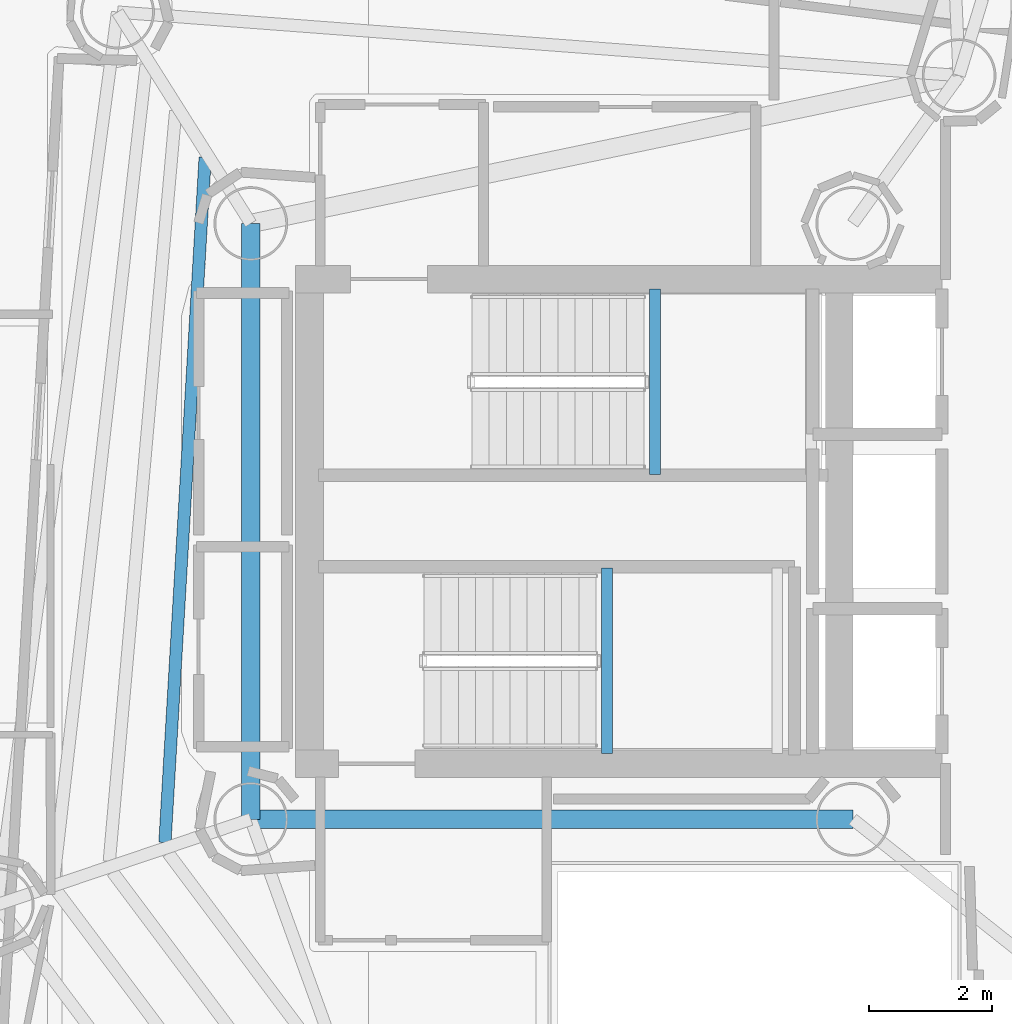
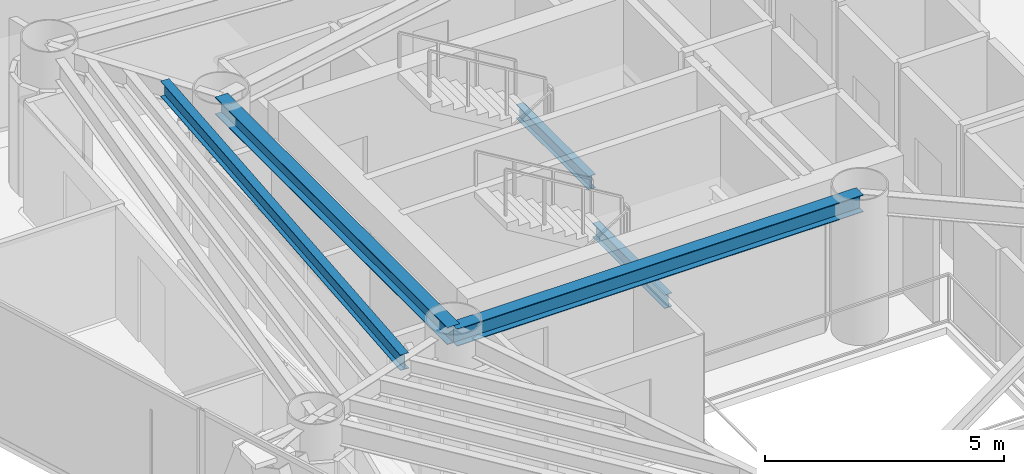
# One storey, part 9 of 23: 5 beams.
"""IFC4 building model written with IfcOpenShell, lengths in metres."""

from ifc_helpers import new_model, si_unit, direction, frame, origin, origin_2d, place, context, subcontext, project, spatial, i_section, extrude, material, material_profile, profile_set, type_object, element, save


model = new_model("IFC4")

# Units and contexts
model_context = context("Model", 3, precision=1e-05, world=origin(), true_north=direction((0.0, 1.0)))
body_context = subcontext(model_context, "Body", "Model", "MODEL_VIEW")
ifc_project = project(units=[si_unit("LENGTHUNIT", "METRE"), si_unit("AREAUNIT", "SQUARE_METRE"), si_unit("VOLUMEUNIT", "CUBIC_METRE"), si_unit("PLANEANGLEUNIT", "RADIAN"), si_unit("MASSUNIT", "GRAM", prefix="KILO")], contexts=[model_context])

# Site, building, storey
site_placement = place(None, origin())
site = spatial("IfcSite", under=ifc_project, at=site_placement, CompositionType="ELEMENT")
building_placement = place(site_placement, origin())
building = spatial("IfcBuilding", under=site, at=building_placement, Name="Qianvela Tower", CompositionType="ELEMENT")
storey_placement = place(building_placement, frame((0.0, 0.0, 218.800048828125)))
storey = spatial("IfcBuildingStorey", under=building, at=storey_placement, Name="L56", CompositionType="ELEMENT", Elevation=218.800048828125)

# Beams
ifc_material_1 = material(Name="Steel Q355B", Category="steel")
ifc_material_profile_1 = material_profile(ifc_material_1, i_section(OverallWidth=0.300048828125, OverallDepth=0.43994140625, WebThickness=0.010986328125, FlangeThickness=0.01806640625, at=origin_2d()), Name="HM440x300x11x18")
ifc_profile_set_1 = profile_set([ifc_material_profile_1], Name="Steel Q355B")
beam_type_1 = type_object("IfcBeamType", Name="BM-HM440-COLL", PredefinedType="BEAM", material=ifc_profile_set_1)
beam_1_placement = place(storey_placement, frame((28.60009765625, 23.85009765625, 3.2978515625), z_axis=(1.0, 0.0, 0.0), x_axis=(0.0, 1.0, 0.0)))
element("IfcBeam", 1, at=beam_1_placement, inside=storey, type_object=beam_type_1, Name="L56 Core Ring Collector Girder CC1", PredefinedType="BEAM", context=body_context, shape_type="SweptSolid", body=[
    extrude(i_section(OverallWidth=0.300048828125, OverallDepth=0.43994140625, WebThickness=0.010986328125, FlangeThickness=0.01806640625, at=origin_2d()), origin(), (0.0, 0.0, 1.0), 9.7998046875),
])
beam_2_placement = place(storey_placement, frame((28.60009765625, 33.550048828125, 3.2978515625), z_axis=(0.0, -1.0, 0.0), x_axis=(1.0, 0.0, 0.0)))
element("IfcBeam", 2, at=beam_2_placement, inside=storey, type_object=beam_type_1, Name="L56 Core Ring Collector Girder CC2", PredefinedType="BEAM", context=body_context, shape_type="SweptSolid", body=[
    extrude(i_section(OverallWidth=0.300048828125, OverallDepth=0.43994140625, WebThickness=0.010986328125, FlangeThickness=0.01806640625, at=origin_2d()), origin(), (0.0, 0.0, 1.0), 9.699951171875),
])
ifc_material_2 = material(Name="Steel Q355B", Category="steel")
ifc_material_profile_2 = material_profile(ifc_material_2, i_section(OverallWidth=0.175048828125, OverallDepth=0.35009765625, WebThickness=0.007080078125, FlangeThickness=0.010986328125, at=origin_2d()), Name="HN350x175x7x11")
ifc_profile_set_2 = profile_set([ifc_material_profile_2], Name="Steel Q355B")
beam_type_2 = type_object("IfcBeamType", Name="BM-HN350-JOIST", PredefinedType="JOIST", material=ifc_profile_set_2)
for number, where, z_axis, x_axis, name in (
    (3, (35.179931640625, 29.4599609375, 1.474853515625), (0.0, 1.0, 0.0), (-1.0, 0.0, 0.0), "L56 Stair ST-1 Landing Support Beam 1.1"),
    (4, (34.39990234375, 24.919921875, 1.474853515625), (0.0, 1.0, 0.0), (-1.0, 0.0, 0.0), "L56 Stair ST-2 Landing Support Beam 1.1"),
):
    element("IfcBeam", number, at=place(storey_placement, frame(where, z_axis=z_axis, x_axis=x_axis)), inside=storey, type_object=beam_type_2, Name=name, PredefinedType="JOIST", context=body_context, shape_type="SweptSolid", body=[
        extrude(i_section(OverallWidth=0.175048828125, OverallDepth=0.35009765625, WebThickness=0.007080078125, FlangeThickness=0.010986328125, at=origin_2d()), origin(), (0.0, 0.0, 1.0), 3.02001953125),
    ])
ifc_material_3 = material(Name="Steel Q355B", Category="steel")
ifc_material_profile_3 = material_profile(ifc_material_3, i_section(OverallWidth=0.199951171875, OverallDepth=0.39990234375, WebThickness=0.008056640625, FlangeThickness=0.012939453125, at=origin_2d()), Name="HN400x200x8x13")
ifc_profile_set_3 = profile_set([ifc_material_profile_3], Name="Steel Q355B")
beam_type_3 = type_object("IfcBeamType", Name="BM-HN400-JOIST", PredefinedType="JOIST", material=ifc_profile_set_3)
beam_3_placement = place(storey_placement, frame((27.85693359375, 34.62451171875, 3.31787109375), z_axis=(-0.05861696358, -0.998280547532, 0.0), x_axis=(0.998280547532, -0.05861696358, 0.0)))
element("IfcBeam", 5, at=beam_3_placement, inside=storey, type_object=beam_type_3, Name="L56 Secondary Composite Floor Joist 3.1", PredefinedType="JOIST", context=body_context, shape_type="SweptSolid", body=[
    extrude(i_section(OverallWidth=0.199951171875, OverallDepth=0.39990234375, WebThickness=0.008056640625, FlangeThickness=0.012939453125, at=origin_2d()), origin(), (0.0, 0.0, 1.0), 11.170654296875),
])

save(model, "model.ifc")
